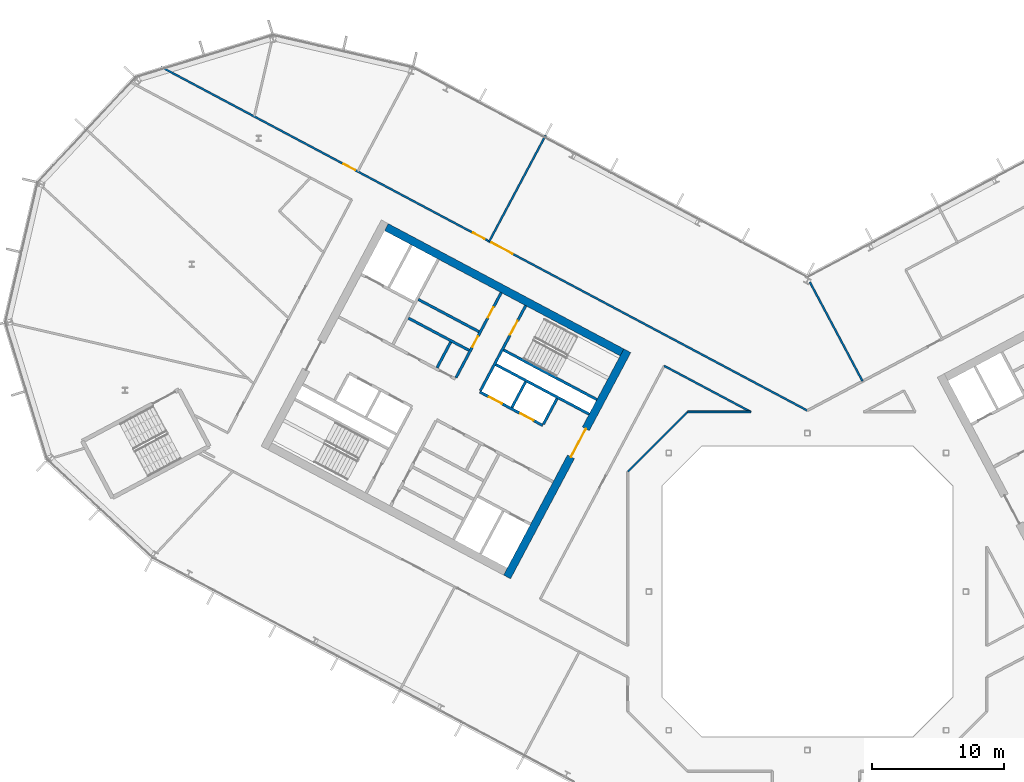
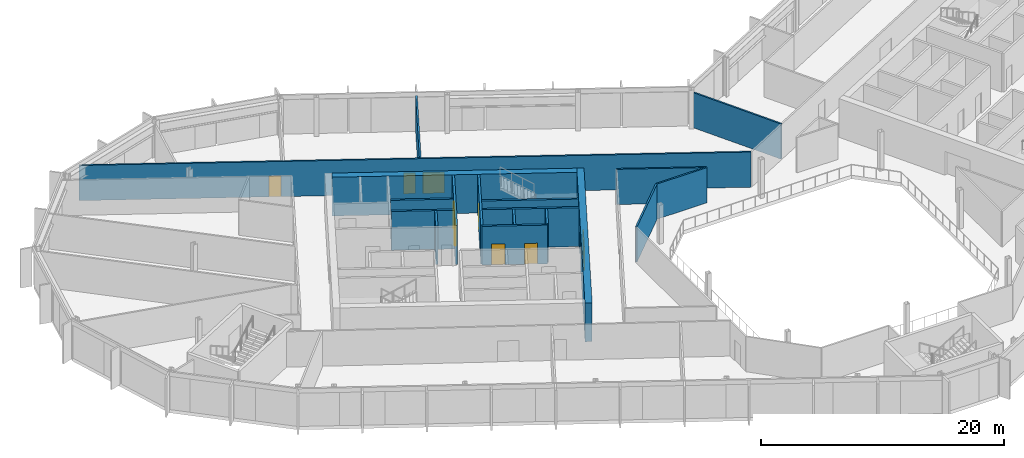
# One storey, part 14 of 26: 18 walls, 9 doors, 9 openings.
"""IFC4 building model written with IfcOpenShell, lengths in metres."""

from ifc_helpers import new_model, si_unit, direction, frame, frame_2d, origin, place, context, subcontext, project, spatial, rectangle, extrude, material, layer, layer_set, type_object, element, fill, save


model = new_model("IFC4")

# Units and contexts
model_context = context("Model", 3, precision=1e-05, world=origin(), true_north=direction((0.0, 1.0)))
body_context = subcontext(model_context, "Body", "Model", "MODEL_VIEW")
ifc_project = project(units=[si_unit("LENGTHUNIT", "METRE"), si_unit("AREAUNIT", "SQUARE_METRE"), si_unit("VOLUMEUNIT", "CUBIC_METRE"), si_unit("PLANEANGLEUNIT", "RADIAN"), si_unit("MASSUNIT", "GRAM", prefix="KILO")], contexts=[model_context])

# Site, building, storey
site_placement = place(None, origin())
site = spatial("IfcSite", under=ifc_project, at=site_placement, CompositionType="ELEMENT")
building_placement = place(site_placement, origin())
building = spatial("IfcBuilding", under=site, at=building_placement, Name="Cormorant Relay Tower", CompositionType="ELEMENT")
storey_placement = place(building_placement, frame((0.0, 0.0, 213.0)))
storey = spatial("IfcBuildingStorey", under=building, at=storey_placement, Name="L46", CompositionType="ELEMENT", Elevation=213.0)

# Walls
ifc_material_1 = material(Name="Concrete 40 MPa", Category="concrete")
ifc_layer_1 = layer(ifc_material_1, 0.199951171875)
ifc_layer_set_1 = layer_set([ifc_layer_1], Name="Core internal wall 200")
wall_type_1 = type_object("IfcWallType", Name="Core internal wall 200", PredefinedType="SOLIDWALL", material=ifc_layer_set_1)
for number, where, z_axis, x_axis, name in (
    (1, (-21.34375, 15.87890625, 0.0), (0.0, 0.0, 1.0), (-0.4694473164, -0.882960484464, 0.0), "L46 core A shaft and room wall"),
    (2, (-27.01220703125, 18.892822265625, 0.0), (0.0, 0.0, 1.0), (-0.4694473164, -0.882960484464, 0.0), "L46 core A shaft and room wall"),
):
    element("IfcWall", number, at=place(storey_placement, frame(where, z_axis=z_axis, x_axis=x_axis)), inside=storey, type_object=wall_type_1, Name=name, PredefinedType="SOLIDWALL", context=body_context, shape_type="SweptSolid", body=[
        extrude(rectangle(XDim=2.199951171875, YDim=0.199951171875, at=frame_2d((1.10009765625, 0.0))), origin(), (0.0, 0.0, 1.0), 3.89990234375),
    ])
wall_1_placement = place(storey_placement, frame((-24.8720703125, 19.680419921875, 0.0), z_axis=(0.0, 0.0, 1.0), x_axis=(-0.882953967957, 0.469459572775, 0.0)))
element("IfcWall", 3, at=wall_1_placement, inside=storey, type_object=wall_type_1, Name="L46 core A shaft and room wall", PredefinedType="SOLIDWALL", context=body_context, shape_type="SweptSolid", body=[
    extrude(rectangle(XDim=5.199951171875, YDim=0.199951171875, at=frame_2d((2.60009765625, 0.0))), origin(), (0.0, 0.0, 1.0), 3.89990234375),
])
ifc_material_2 = material(Name="Concrete 50 MPa", Category="concrete")
ifc_layer_2 = layer(ifc_material_2, 0.199951171875)
ifc_layer_set_2 = layer_set([ifc_layer_2], Name="Core shaft wall 200")
wall_type_2 = type_object("IfcWallType", Name="Core shaft wall 200", PredefinedType="SHEAR", material=ifc_layer_set_2)
wall_2_placement = place(storey_placement, frame((-18.959716796875, 14.611328125, 0.0), z_axis=(0.0, 0.0, 1.0), x_axis=(-0.4694473164, -0.882960484464, 0.0)))
element("IfcWall", 4, at=wall_2_placement, inside=storey, type_object=wall_type_2, Name="L46 core A shaft wall", PredefinedType="SHEAR", context=body_context, shape_type="SweptSolid", body=[
    extrude(rectangle(XDim=2.199951171875, YDim=0.199951171875, at=frame_2d((1.10009765625, 0.0))), origin(), (0.0, 0.0, 1.0), 3.89990234375),
])

# Wall, opening, door
wall_3_placement = place(storey_placement, frame((-21.333251953125, 21.6494140625, 0.0), z_axis=(0.0, 0.0, 1.0), x_axis=(-0.469494272526, -0.882935517501, 0.0)))
wall_3 = element("IfcWall", 5, at=wall_3_placement, inside=storey, type_object=wall_type_2, Name="L46 core A shaft wall", PredefinedType="SHEAR", context=body_context, shape_type="SweptSolid", body=[
    extrude(rectangle(XDim=7.2998046875, YDim=0.199951171875, at=frame_2d((3.64990234375, 0.0))), origin(), (0.0, 0.0, 1.0), 3.89990234375),
])
opening_1_placement = place(wall_3_placement, frame((1.300048828125, 0.0, 0.0)))
opening_1 = element("IfcOpeningElement", 6, at=opening_1_placement, cuts=wall_3, Name="Opening CDB-038", PredefinedType="OPENING", context=body_context, shape_type="SweptSolid", body=[
    extrude(rectangle(XDim=1.199951171875, YDim=2.10009765625, at=frame_2d((0.60009765625, 1.050048828125))), frame((0.0, 0.10986328125, 0.0), z_axis=(0.0, -1.0, 0.0), x_axis=(1.0, 0.0, 0.0)), (0.0, 0.0, 1.0), 0.219970703125),
])
ifc_material_3 = material(Name="Steel fire door", Category="steel")
door_type_1 = type_object("IfcDoorType", Name="Core stair door 1200x2100", OperationType="SINGLE_SWING_LEFT", PredefinedType="DOOR", material=ifc_material_3)
door_1_placement = place(opening_1_placement, origin())
door_1 = element("IfcDoor", 7, at=door_1_placement, inside=storey, type_object=door_type_1, Name="Core stair door 1200x2100", OperationType="SINGLE_SWING_RIGHT", OverallHeight=2.10009765625, OverallWidth=1.199951171875, PredefinedType="DOOR", context=body_context, shape_type="SweptSolid", body=[
    extrude(rectangle(XDim=1.199951171875, YDim=2.10009765625, at=frame_2d((0.60009765625, 1.050048828125))), frame((0.0, 0.02490234375, 0.0), z_axis=(0.0, -1.0, 0.0), x_axis=(1.0, 0.0, 0.0)), (0.0, 0.0, 1.0), 0.050048828125),
])
fill(opening_1, door_1)

# Wall, openings, doors
wall_4_placement = place(storey_placement, frame((-23.1875, 22.635498046875, 0.0), z_axis=(0.0, 0.0, 1.0), x_axis=(-0.469454336211, -0.882956752176, 0.0)))
wall_4 = element("IfcWall", 8, at=wall_4_placement, inside=storey, type_object=wall_type_2, Name="L46 core A shaft wall", PredefinedType="SHEAR", context=body_context, shape_type="SweptSolid", body=[
    extrude(rectangle(XDim=7.300048828125, YDim=0.199951171875, at=frame_2d((3.64990234375, 0.0))), origin(), (0.0, 0.0, 1.0), 3.89990234375),
])
opening_2_placement = place(wall_4_placement, frame((1.25, 0.0, 0.0)))
opening_2 = element("IfcOpeningElement", 9, at=opening_2_placement, cuts=wall_4, Name="Opening CDD-271", PredefinedType="OPENING", context=body_context, shape_type="SweptSolid", body=[
    extrude(rectangle(XDim=0.89990234375, YDim=2.10009765625, at=frame_2d((0.449951171875, 1.050048828125))), frame((0.0, 0.10986328125, 0.0), z_axis=(0.0, -1.0, 0.0), x_axis=(1.0, 0.0, 0.0)), (0.0, 0.0, 1.0), 0.219970703125),
])
opening_3_placement = place(wall_4_placement, frame((3.75, 0.0, 0.0)))
opening_3 = element("IfcOpeningElement", 10, at=opening_3_placement, cuts=wall_4, Name="Opening CDD-240", PredefinedType="OPENING", context=body_context, shape_type="SweptSolid", body=[
    extrude(rectangle(XDim=0.89990234375, YDim=2.10009765625, at=frame_2d((0.449951171875, 1.050048828125))), frame((0.0, 0.10986328125, 0.0), z_axis=(0.0, -1.0, 0.0), x_axis=(1.0, 0.0, 0.0)), (0.0, 0.0, 1.0), 0.219970703125),
])
ifc_material_4 = material(Name="Steel fire door", Category="steel")
door_type_2 = type_object("IfcDoorType", Name="Core room door 900x2100", OperationType="SINGLE_SWING_LEFT", PredefinedType="DOOR", material=ifc_material_4)
door_2_placement = place(opening_2_placement, origin())
door_2 = element("IfcDoor", 11, at=door_2_placement, inside=storey, type_object=door_type_2, Name="Core room door 900x2100", OperationType="SINGLE_SWING_LEFT", OverallHeight=2.10009765625, OverallWidth=0.89990234375, PredefinedType="DOOR", context=body_context, shape_type="SweptSolid", body=[
    extrude(rectangle(XDim=0.89990234375, YDim=2.10009765625, at=frame_2d((0.449951171875, 1.050048828125))), frame((0.0, 0.02490234375, 0.0), z_axis=(0.0, -1.0, 0.0), x_axis=(1.0, 0.0, 0.0)), (0.0, 0.0, 1.0), 0.050048828125),
])
fill(opening_2, door_2)
door_3_placement = place(opening_3_placement, frame((0.89990234375, 0.0, 0.0), z_axis=(0.0, 0.0, 1.0), x_axis=(-1.0, 0.0, 0.0)))
door_3 = element("IfcDoor", 12, at=door_3_placement, inside=storey, type_object=door_type_2, Name="Core room door 900x2100", OperationType="SINGLE_SWING_RIGHT", OverallHeight=2.10009765625, OverallWidth=0.89990234375, PredefinedType="DOOR", context=body_context, shape_type="SweptSolid", body=[
    extrude(rectangle(XDim=0.89990234375, YDim=2.10009765625, at=frame_2d((0.449951171875, 1.050048828125))), frame((0.0, 0.02490234375, 0.0), z_axis=(0.0, -1.0, 0.0), x_axis=(1.0, 0.0, 0.0)), (0.0, 0.0, 1.0), 0.050048828125),
])
fill(opening_3, door_3)

# Walls
wall_5_placement = place(storey_placement, frame((-15.94189453125, 14.53564453125, 0.0), z_axis=(0.0, 0.0, 1.0), x_axis=(-0.882946947542, 0.469472776449, 0.0)))
element("IfcWall", 13, at=wall_5_placement, inside=storey, type_object=wall_type_2, Name="L46 core A shaft wall", PredefinedType="SHEAR", context=body_context, shape_type="SweptSolid", body=[
    extrude(rectangle(XDim=8.000244140625, YDim=0.199951171875, at=frame_2d((4.0, 0.0))), origin(), (0.0, 0.0, 1.0), 3.89990234375),
])
wall_6_placement = place(storey_placement, frame((-16.52880859375, 13.43212890625, 0.0), z_axis=(0.0, 0.0, 1.0), x_axis=(-0.88295287151, 0.469461634952, 0.0)))
element("IfcWall", 14, at=wall_6_placement, inside=storey, type_object=wall_type_2, Name="L46 core A shaft wall", PredefinedType="SHEAR", context=body_context, shape_type="SweptSolid", body=[
    extrude(rectangle(XDim=7.999755859375, YDim=0.199951171875, at=frame_2d((4.0, 0.0))), origin(), (0.0, 0.0, 1.0), 3.89990234375),
])
wall_7_placement = place(storey_placement, frame((-25.623046875, 18.267578125, 0.0), z_axis=(0.0, 0.0, 1.0), x_axis=(-0.882953967957, 0.469459572775, 0.0)))
element("IfcWall", 15, at=wall_7_placement, inside=storey, type_object=wall_type_2, Name="L46 core A shaft wall", PredefinedType="SHEAR", context=body_context, shape_type="SweptSolid", body=[
    extrude(rectangle(XDim=5.199951171875, YDim=0.199951171875, at=frame_2d((2.60009765625, 0.0))), origin(), (0.0, 0.0, 1.0), 3.89990234375),
])

# Wall, openings, doors
wall_8_placement = place(storey_placement, frame((-20.03955078125, 12.58056640625, 0.0), z_axis=(0.0, 0.0, 1.0), x_axis=(-0.882942972946, 0.469480251476, 0.0)))
wall_8 = element("IfcWall", 16, at=wall_8_placement, inside=storey, type_object=wall_type_2, Name="L46 core A shaft wall", PredefinedType="SHEAR", context=body_context, shape_type="SweptSolid", body=[
    extrude(rectangle(XDim=5.39990234375, YDim=0.199951171875, at=frame_2d((2.699951171875, 0.0))), origin(), (0.0, 0.0, 1.0), 3.89990234375),
])
opening_4_placement = place(wall_8_placement, frame((0.800048828125, 0.0, 0.0)))
opening_4 = element("IfcOpeningElement", 17, at=opening_4_placement, cuts=wall_8, Name="Opening LD1-061", PredefinedType="OPENING", context=body_context, shape_type="SweptSolid", body=[
    extrude(rectangle(XDim=1.10009765625, YDim=2.10009765625, at=frame_2d((0.550048828125, 1.050048828125))), frame((0.0, 0.10986328125, 0.0), z_axis=(0.0, -1.0, 0.0), x_axis=(1.0, 0.0, 0.0)), (0.0, 0.0, 1.0), 0.219970703125),
])
opening_5_placement = place(wall_8_placement, frame((3.5, 0.0, 0.0)))
opening_5 = element("IfcOpeningElement", 18, at=opening_5_placement, cuts=wall_8, Name="Opening LD1-062", PredefinedType="OPENING", context=body_context, shape_type="SweptSolid", body=[
    extrude(rectangle(XDim=1.10009765625, YDim=2.10009765625, at=frame_2d((0.550048828125, 1.050048828125))), frame((0.0, 0.10986328125, 0.0), z_axis=(0.0, -1.0, 0.0), x_axis=(1.0, 0.0, 0.0)), (0.0, 0.0, 1.0), 0.219970703125),
])
ifc_material_5 = material(Name="Stainless steel 316", Category="steel")
door_type_3 = type_object("IfcDoorType", Name="Lift landing door 1100x2100", OperationType="DOUBLE_DOOR_SLIDING", PredefinedType="DOOR", material=ifc_material_5)
door_4_placement = place(opening_4_placement, origin())
door_4 = element("IfcDoor", 19, at=door_4_placement, inside=storey, type_object=door_type_3, Name="MR3 landing door", OperationType="DOUBLE_DOOR_SLIDING", OverallHeight=2.10009765625, OverallWidth=1.10009765625, PredefinedType="DOOR", context=body_context, shape_type="SweptSolid", body=[
    extrude(rectangle(XDim=1.10009765625, YDim=2.10009765625, at=frame_2d((0.550048828125, 1.050048828125))), frame((0.0, 0.02490234375, 0.0), z_axis=(0.0, -1.0, 0.0), x_axis=(1.0, 0.0, 0.0)), (0.0, 0.0, 1.0), 0.050048828125),
])
fill(opening_4, door_4)
door_5_placement = place(opening_5_placement, origin())
door_5 = element("IfcDoor", 20, at=door_5_placement, inside=storey, type_object=door_type_3, Name="MR4 landing door", OperationType="DOUBLE_DOOR_SLIDING", OverallHeight=2.10009765625, OverallWidth=1.10009765625, PredefinedType="DOOR", context=body_context, shape_type="SweptSolid", body=[
    extrude(rectangle(XDim=1.10009765625, YDim=2.10009765625, at=frame_2d((0.550048828125, 1.050048828125))), frame((0.0, 0.02490234375, 0.0), z_axis=(0.0, -1.0, 0.0), x_axis=(1.0, 0.0, 0.0)), (0.0, 0.0, 1.0), 0.050048828125),
])
fill(opening_5, door_5)

# Wall, opening, door
ifc_material_6 = material(Name="Concrete 50 MPa", Category="concrete")
ifc_layer_3 = layer(ifc_material_6, 0.60009765625)
ifc_layer_set_3 = layer_set([ifc_layer_3], Name="Core wall 600")
wall_type_3 = type_object("IfcWallType", Name="Core wall 600", PredefinedType="SHEAR", material=ifc_layer_set_3)
wall_9_placement = place(storey_placement, frame((-13.634765625, 18.235595703125, 0.0), z_axis=(0.0, 0.0, 1.0), x_axis=(-0.469478769487, -0.88294376095, 0.0)))
wall_9 = element("IfcWall", 21, at=wall_9_placement, inside=storey, type_object=wall_type_3, Name="L46 core A wall", PredefinedType="SHEAR", context=body_context, shape_type="SweptSolid", body=[
    extrude(rectangle(XDim=19.400146484375, YDim=0.60009765625, at=frame_2d((9.7001953125, 0.0))), origin(), (0.0, 0.0, 1.0), 3.89990234375),
])
opening_6_placement = place(wall_9_placement, frame((6.699951171875, 0.0, 0.0)))
opening_6 = element("IfcOpeningElement", 22, at=opening_6_placement, cuts=wall_9, Name="Opening CDA-040", PredefinedType="OPENING", context=body_context, shape_type="SweptSolid", body=[
    extrude(rectangle(XDim=2.39990234375, YDim=2.39990234375, at=frame_2d((1.199951171875, 1.199951171875))), frame((0.0, 0.31005859375, 0.0), z_axis=(0.0, -1.0, 0.0), x_axis=(1.0, 0.0, 0.0)), (0.0, 0.0, 1.0), 0.6201171875),
])
ifc_material_7 = material(Name="Steel fire door", Category="steel")
door_type_4 = type_object("IfcDoorType", Name="Core lobby door 2400x2400", OperationType="DOUBLE_DOOR_SINGLE_SWING", PredefinedType="DOOR", material=ifc_material_7)
door_6_placement = place(opening_6_placement, frame((2.39990234375, 0.0, 0.0), z_axis=(0.0, 0.0, 1.0), x_axis=(-1.0, 0.0, 0.0)))
door_6 = element("IfcDoor", 23, at=door_6_placement, inside=storey, type_object=door_type_4, Name="Core lobby door 2400x2400", OperationType="DOUBLE_DOOR_SINGLE_SWING", OverallHeight=2.39990234375, OverallWidth=2.39990234375, PredefinedType="DOOR", context=body_context, shape_type="SweptSolid", body=[
    extrude(rectangle(XDim=2.39990234375, YDim=2.39990234375, at=frame_2d((1.199951171875, 1.199951171875))), frame((0.0, 0.02490234375, 0.0), z_axis=(0.0, -1.0, 0.0), x_axis=(1.0, 0.0, 0.0)), (0.0, 0.0, 1.0), 0.050048828125),
])
fill(opening_6, door_6)

# Wall
wall_10_placement = place(storey_placement, frame((-14.04052734375, 18.111572265625, 0.0), z_axis=(0.0, 0.0, 1.0), x_axis=(-0.882947755831, 0.46947125628, 0.0)))
element("IfcWall", 24, at=wall_10_placement, inside=storey, type_object=wall_type_3, Name="L46 core A wall", PredefinedType="SHEAR", context=body_context, shape_type="SweptSolid", body=[
    extrude(rectangle(XDim=20.2001953125, YDim=0.60009765625, at=frame_2d((10.10009765625, 0.0))), origin(), (0.0, 0.0, 1.0), 3.89990234375),
])

# Wall, openings, doors
ifc_material_8 = material(Name="Gypsum board fire partition")
ifc_layer_4 = layer(ifc_material_8, 0.14990234375)
ifc_layer_set_4 = layer_set([ifc_layer_4], Name="Corridor partition 150 EI 60")
wall_type_4 = type_object("IfcWallType", Name="Corridor partition 150 EI 60", PredefinedType="PARTITIONING", material=ifc_layer_set_4)
wall_11_placement = place(storey_placement, frame((-48.947021484375, 39.72998046875, 0.0), z_axis=(0.0, 0.0, 1.0), x_axis=(0.882945454821, -0.469475583828, 0.0)))
wall_11 = element("IfcWall", 25, at=wall_11_placement, inside=storey, type_object=wall_type_4, Name="wall/L46/part/011", PredefinedType="PARTITIONING", context=body_context, shape_type="SweptSolid", body=[
    extrude(rectangle(XDim=55.43603515625, YDim=0.14990234375, at=frame_2d((27.718017578125, 0.0))), origin(), (0.0, 0.0, 1.0), 3.5400390625),
])
opening_7_placement = place(wall_11_placement, frame((28.35009765625, 0.0, 0.0)))
opening_7 = element("IfcOpeningElement", 26, at=opening_7_placement, cuts=wall_11, Name="Opening DD-027", PredefinedType="OPENING", context=body_context, shape_type="SweptSolid", body=[
    extrude(rectangle(XDim=1.800048828125, YDim=2.10009765625, at=frame_2d((0.89990234375, 1.050048828125))), frame((0.0, 0.0849609375, 0.0), z_axis=(0.0, -1.0, 0.0), x_axis=(1.0, 0.0, 0.0)), (0.0, 0.0, 1.0), 0.169921875),
])
opening_8_placement = place(wall_11_placement, frame((26.75, 0.0, 0.0)))
opening_8 = element("IfcOpeningElement", 27, at=opening_8_placement, cuts=wall_11, Name="Opening DS-148", PredefinedType="OPENING", context=body_context, shape_type="SweptSolid", body=[
    extrude(rectangle(XDim=1.0, YDim=2.10009765625, at=frame_2d((0.5, 1.050048828125))), frame((0.0, 0.0849609375, 0.0), z_axis=(0.0, -1.0, 0.0), x_axis=(1.0, 0.0, 0.0)), (0.0, 0.0, 1.0), 0.169921875),
])
opening_9_placement = place(wall_11_placement, frame((15.64990234375, 0.0, 0.0)))
opening_9 = element("IfcOpeningElement", 28, at=opening_9_placement, cuts=wall_11, Name="Opening DS-149", PredefinedType="OPENING", context=body_context, shape_type="SweptSolid", body=[
    extrude(rectangle(XDim=1.0, YDim=2.10009765625, at=frame_2d((0.5, 1.050048828125))), frame((0.0, 0.0849609375, 0.0), z_axis=(0.0, -1.0, 0.0), x_axis=(1.0, 0.0, 0.0)), (0.0, 0.0, 1.0), 0.169921875),
])
ifc_material_9 = material(Name="Timber door leaf", Category="wood")
door_type_5 = type_object("IfcDoorType", Name="Suite door 1000x2100", OperationType="SINGLE_SWING_LEFT", PredefinedType="DOOR", material=ifc_material_9)
door_7_placement = place(opening_8_placement, origin())
door_7 = element("IfcDoor", 29, at=door_7_placement, inside=storey, type_object=door_type_5, Name="door/L46/014", OperationType="SINGLE_SWING_RIGHT", OverallHeight=2.10009765625, OverallWidth=1.0, PredefinedType="DOOR", context=body_context, shape_type="SweptSolid", body=[
    extrude(rectangle(XDim=1.0, YDim=2.10009765625, at=frame_2d((0.5, 1.050048828125))), frame((0.0, 0.02490234375, 0.0), z_axis=(0.0, -1.0, 0.0), x_axis=(1.0, 0.0, 0.0)), (0.0, 0.0, 1.0), 0.050048828125),
])
fill(opening_8, door_7)
door_8_placement = place(opening_9_placement, origin())
door_8 = element("IfcDoor", 30, at=door_8_placement, inside=storey, type_object=door_type_5, Name="door/L46/015", OperationType="SINGLE_SWING_RIGHT", OverallHeight=2.10009765625, OverallWidth=1.0, PredefinedType="DOOR", context=body_context, shape_type="SweptSolid", body=[
    extrude(rectangle(XDim=1.0, YDim=2.10009765625, at=frame_2d((0.5, 1.050048828125))), frame((0.0, 0.02490234375, 0.0), z_axis=(0.0, -1.0, 0.0), x_axis=(1.0, 0.0, 0.0)), (0.0, 0.0, 1.0), 0.050048828125),
])
fill(opening_9, door_8)
ifc_material_10 = material(Name="Timber door leaf", Category="wood")
door_type_6 = type_object("IfcDoorType", Name="Suite double door 1800x2100", OperationType="DOUBLE_DOOR_SINGLE_SWING", PredefinedType="DOOR", material=ifc_material_10)
door_9_placement = place(opening_7_placement, origin())
door_9 = element("IfcDoor", 31, at=door_9_placement, inside=storey, type_object=door_type_6, Name="door/L46/013", OperationType="DOUBLE_DOOR_SINGLE_SWING", OverallHeight=2.10009765625, OverallWidth=1.800048828125, PredefinedType="DOOR", context=body_context, shape_type="SweptSolid", body=[
    extrude(rectangle(XDim=1.800048828125, YDim=2.10009765625, at=frame_2d((0.89990234375, 1.050048828125))), frame((0.0, 0.02490234375, 0.0), z_axis=(0.0, -1.0, 0.0), x_axis=(1.0, 0.0, 0.0)), (0.0, 0.0, 1.0), 0.050048828125),
])
fill(opening_7, door_9)

# Walls
wall_12_placement = place(storey_placement, frame((-10.844970703125, 17.092041015625, 0.0), z_axis=(0.0, 0.0, 1.0), x_axis=(0.882961838763, -0.469444769156, 0.0)))
element("IfcWall", 32, at=wall_12_placement, inside=storey, type_object=wall_type_4, Name="wall/L46/part/044", PredefinedType="PARTITIONING", context=body_context, shape_type="SweptSolid", body=[
    extrude(rectangle(XDim=7.4384765625, YDim=0.14990234375, at=frame_2d((3.71923828125, 0.0))), origin(), (0.0, 0.0, 1.0), 3.5400390625),
])
wall_13_placement = place(storey_placement, frame((-4.277099609375, 13.60009765625, 0.0), z_axis=(0.0, 0.0, 1.0), x_axis=(-1.0, 0.0, 0.0)))
element("IfcWall", 33, at=wall_13_placement, inside=storey, type_object=wall_type_4, Name="wall/L46/part/045", PredefinedType="PARTITIONING", context=body_context, shape_type="SweptSolid", body=[
    extrude(rectangle(XDim=4.7998046875, YDim=0.14990234375, at=frame_2d((2.39990234375, 0.0))), origin(), (0.0, 0.0, 1.0), 3.5400390625),
])
wall_14_placement = place(storey_placement, frame((-9.076904296875, 13.60009765625, 0.0), z_axis=(0.0, 0.0, 1.0), x_axis=(-0.707106781187, -0.707106781187, 0.0)))
element("IfcWall", 34, at=wall_14_placement, inside=storey, type_object=wall_type_4, Name="wall/L46/part/046", PredefinedType="PARTITIONING", context=body_context, shape_type="SweptSolid", body=[
    extrude(rectangle(XDim=6.396728515625, YDim=0.14990234375, at=frame_2d((3.1982421875, 0.0))), origin(), (0.0, 0.0, 1.0), 3.5400390625),
])
ifc_material_11 = material(Name="Gypsum board partition")
ifc_layer_5 = layer(ifc_material_11, 0.14990234375)
ifc_layer_set_5 = layer_set([ifc_layer_5], Name="Tenant partition 150")
wall_type_5 = type_object("IfcWallType", Name="Tenant partition 150", PredefinedType="PARTITIONING", material=ifc_layer_set_5)
wall_15_placement = place(storey_placement, frame((-19.822021484375, 34.550048828125, 0.0), z_axis=(0.0, 0.0, 1.0), x_axis=(-0.46943766298, -0.882965616871, 0.0)))
element("IfcWall", 35, at=wall_15_placement, inside=storey, type_object=wall_type_5, Name="wall/L46/part/021", PredefinedType="PARTITIONING", context=body_context, shape_type="SweptSolid", body=[
    extrude(rectangle(XDim=9.10009765625, YDim=0.14990234375, at=frame_2d((4.550048828125, 0.0))), origin(), (0.0, 0.0, 1.0), 3.5400390625),
])
wall_16_placement = place(storey_placement, frame((0.18310546875, 23.43994140625, 0.0), z_axis=(0.0, 0.0, 1.0), x_axis=(0.46943977652, -0.882964493183, 0.0)))
element("IfcWall", 36, at=wall_16_placement, inside=storey, type_object=wall_type_5, Name="wall/L46/part/022", PredefinedType="PARTITIONING", context=body_context, shape_type="SweptSolid", body=[
    extrude(rectangle(XDim=8.509765625, YDim=0.14990234375, at=frame_2d((4.2548828125, 0.0))), origin(), (0.0, 0.0, 1.0), 3.5400390625),
])

save(model, "model.ifc")
